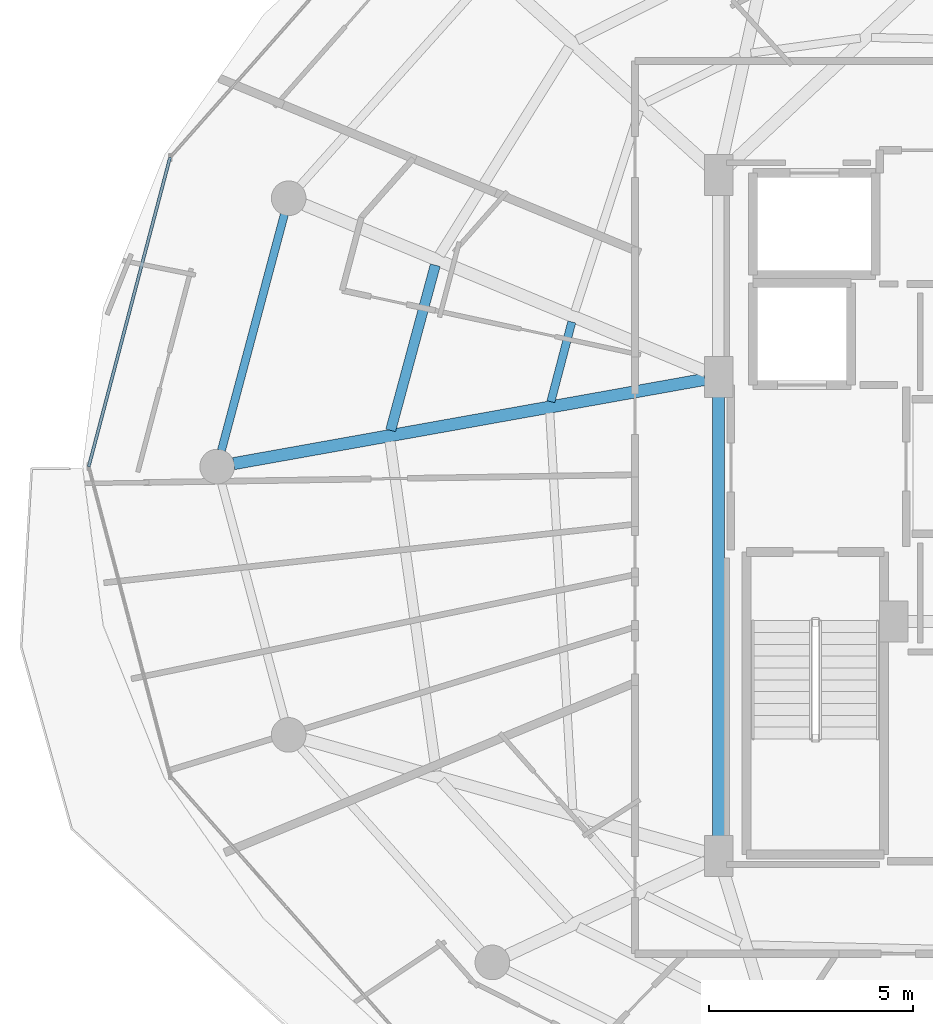
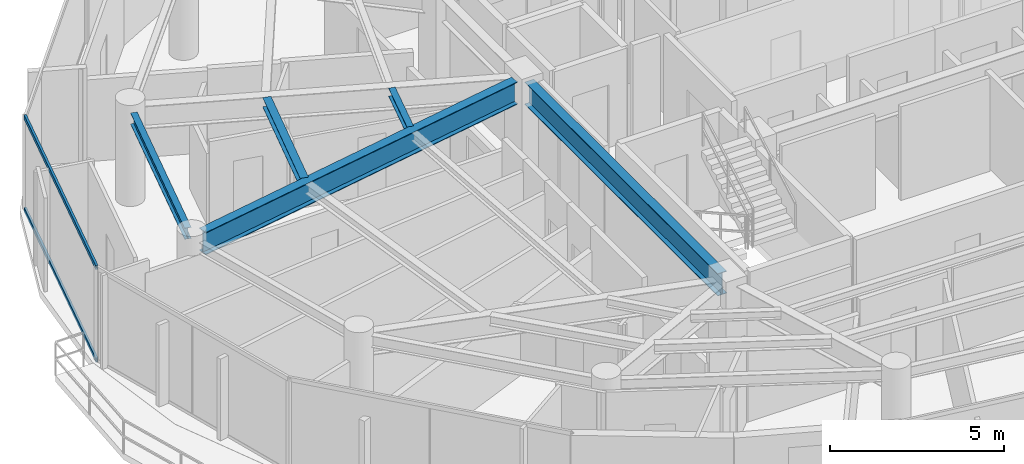
# One storey, part 8 of 31: 5 beams, 2 members, 1 element without a shape of its own.
"""IFC4 building model written with IfcOpenShell, lengths in metres."""

from ifc_helpers import new_model, si_unit, direction, frame, origin, origin_2d, place, context, subcontext, project, spatial, hollow_rectangle, i_section, extrude, material, material_profile, profile_set, type_object, element, aggregate, save


model = new_model("IFC4")

# Units and contexts
model_context = context("Model", 3, precision=1e-05, world=origin(), true_north=direction((0.0, 1.0)))
body_context = subcontext(model_context, "Body", "Model", "MODEL_VIEW")
ifc_project = project(units=[si_unit("LENGTHUNIT", "METRE"), si_unit("AREAUNIT", "SQUARE_METRE"), si_unit("VOLUMEUNIT", "CUBIC_METRE"), si_unit("PLANEANGLEUNIT", "RADIAN"), si_unit("MASSUNIT", "GRAM", prefix="KILO")], contexts=[model_context])

# Site, building, storey
site_placement = place(None, origin())
site = spatial("IfcSite", under=ifc_project, at=site_placement, CompositionType="ELEMENT")
building_placement = place(site_placement, origin())
building = spatial("IfcBuilding", under=site, at=building_placement, Name="Vorneva Point Tower", CompositionType="ELEMENT")
storey_placement = place(building_placement, frame((0.0, 0.0, 266.199951171875)))
storey = spatial("IfcBuildingStorey", under=building, at=storey_placement, Name="L72", CompositionType="ELEMENT", Elevation=266.199951171875)

# Beams
ifc_material_1 = material(Name="Steel S355", Category="steel")
ifc_material_profile_1 = material_profile(ifc_material_1, i_section(OverallWidth=0.300048828125, OverallDepth=0.7880859375, WebThickness=0.014404296875, FlangeThickness=0.02197265625, at=origin_2d()), Name="80Sh1")
ifc_profile_set_1 = profile_set([ifc_material_profile_1], Name="Steel S355")
beam_type_1 = type_object("IfcBeamType", Name="BM-GRD-80Sh1", PredefinedType="USERDEFINED", material=ifc_profile_set_1)
beam_1_placement = place(storey_placement, frame((15.3564453125, 26.07275390625, 2.89599609375), z_axis=(0.9843788355, 0.17606336422, 0.0), x_axis=(-0.17606336422, 0.9843788355, 0.0)))
element("IfcBeam", 1, at=beam_1_placement, inside=storey, type_object=beam_type_1, Name="L72 Radial Primary Girder 09", ObjectType="GIRDER", PredefinedType="USERDEFINED", context=body_context, shape_type="SweptSolid", body=[
    extrude(i_section(OverallWidth=0.300048828125, OverallDepth=0.7880859375, WebThickness=0.014404296875, FlangeThickness=0.02197265625, at=origin_2d()), origin(), (0.0, 0.0, 1.0), 11.7421875),
])
beam_2_placement = place(storey_placement, frame((27.25, 16.77001953125, 2.89599609375), z_axis=(0.0, 1.0, 0.0), x_axis=(-1.0, 0.0, 0.0)))
element("IfcBeam", 2, at=beam_2_placement, inside=storey, type_object=beam_type_1, Name="L72 Core Tie Girder CT1", ObjectType="GIRDER", PredefinedType="USERDEFINED", context=body_context, shape_type="SweptSolid", body=[
    extrude(i_section(OverallWidth=0.300048828125, OverallDepth=0.7880859375, WebThickness=0.014404296875, FlangeThickness=0.02197265625, at=origin_2d()), origin(), (0.0, 0.0, 1.0), 11.10986328125),
])
ifc_material_profile_2 = material_profile(ifc_material_1, i_section(OverallWidth=0.199951171875, OverallDepth=0.291015625, WebThickness=0.008056640625, FlangeThickness=0.010986328125, at=origin_2d()), Name="30Sh1")
ifc_profile_set_2 = profile_set([ifc_material_profile_2], Name="Steel S355")
beam_type_2 = type_object("IfcBeamType", Name="BM-SEC-30Sh1", PredefinedType="BEAM", material=ifc_profile_set_2)
beam_3_placement = place(storey_placement, frame((23.650390625, 29.5478515625, 3.14453125), z_axis=(-0.254273504395, -0.967132351316, 0.0), x_axis=(0.967132351316, -0.254273504395, 0.0)))
element("IfcBeam", 3, at=beam_3_placement, inside=storey, type_object=beam_type_2, Name="L72 Secondary Floor Beam 2.08", PredefinedType="BEAM", context=body_context, shape_type="SweptSolid", body=[
    extrude(i_section(OverallWidth=0.199951171875, OverallDepth=0.291015625, WebThickness=0.008056640625, FlangeThickness=0.010986328125, at=origin_2d()), origin(), (0.0, 0.0, 1.0), 2.02294921875),
])
ifc_material_profile_3 = material_profile(ifc_material_1, i_section(OverallWidth=0.2490234375, OverallDepth=0.333984375, WebThickness=0.008056640625, FlangeThickness=0.010986328125, at=origin_2d()), Name="35Sh1")
ifc_profile_set_3 = profile_set([ifc_material_profile_3], Name="Steel S355")
beam_type_3 = type_object("IfcBeamType", Name="BM-SEC-35Sh1", PredefinedType="BEAM", material=ifc_profile_set_3)
beam_4_placement = place(storey_placement, frame((20.300537109375, 30.939697265625, 3.123046875), z_axis=(-0.260630606793, -0.965438598153, 0.0), x_axis=(0.965438598153, -0.260630606793, 0.0)))
element("IfcBeam", 4, at=beam_4_placement, inside=storey, type_object=beam_type_3, Name="L72 Secondary Floor Beam 1.08", PredefinedType="BEAM", context=body_context, shape_type="SweptSolid", body=[
    extrude(i_section(OverallWidth=0.2490234375, OverallDepth=0.333984375, WebThickness=0.008056640625, FlangeThickness=0.010986328125, at=origin_2d()), origin(), (0.0, 0.0, 1.0), 4.196533203125),
])
ifc_material_profile_4 = material_profile(ifc_material_1, i_section(OverallWidth=0.198974609375, OverallDepth=0.39599609375, WebThickness=0.007080078125, FlangeThickness=0.010986328125, at=origin_2d()), Name="40B1")
ifc_profile_set_4 = profile_set([ifc_material_profile_4], Name="Steel S355")
beam_type_4 = type_object("IfcBeamType", Name="BM-SPN-40B1", PredefinedType="SPANDREL", material=ifc_profile_set_4)
beam_5_placement = place(storey_placement, frame((16.59912109375, 32.18603515625, 3.092041015625), z_axis=(-0.257586570866, -0.966255224312, 0.0), x_axis=(0.966255224312, -0.257586570866, 0.0)))
element("IfcBeam", 5, at=beam_5_placement, inside=storey, type_object=beam_type_4, Name="L72 Perimeter Spandrel Ring Beam 08", PredefinedType="SPANDREL", context=body_context, shape_type="SweptSolid", body=[
    extrude(i_section(OverallWidth=0.198974609375, OverallDepth=0.39599609375, WebThickness=0.007080078125, FlangeThickness=0.010986328125, at=origin_2d()), origin(), (0.0, 0.0, 1.0), 5.991943359375),
])

# Curtain wall, members
ifc_material_2 = material(Name="Pale anodised aluminium", Category="aluminium")
curtain_wall_type = type_object("IfcCurtainWallType", Name="CW-RES-SYS", PredefinedType="NOTDEFINED", material=ifc_material_2)
curtain_wall_placement = place(storey_placement, origin())
curtain_wall = element("IfcCurtainWall", 6, at=curtain_wall_placement, inside=storey, type_object=curtain_wall_type, Name="L72 Unitised Curtain Wall CW-L72-R03", PredefinedType="NOTDEFINED")
ifc_material_profile_5 = material_profile(ifc_material_2, hollow_rectangle(XDim=0.074951171875, YDim=0.14990234375, WallThickness=0.00390625, at=origin_2d()), Name="AL-TRN 150x75x4")
ifc_profile_set_5 = profile_set([ifc_material_profile_5], Name="Pale anodised aluminium")
member_type = type_object("IfcMemberType", Name="CW-TRN-150", PredefinedType="USERDEFINED", material=ifc_profile_set_5)
member_1_placement = place(storey_placement, frame((13.79443359375, 33.5810546875, 0.02001953125), z_axis=(-0.254418180926, -0.967094302131, 0.0), x_axis=(0.967094302131, -0.254418180926, 0.0)))
member_1 = element("IfcMember", 7, at=member_1_placement, type_object=member_type, Name="CW-L72-R03 Transom 02.1", ObjectType="TRANSOM", PredefinedType="USERDEFINED", context=body_context, shape_type="SweptSolid", body=[
    extrude(hollow_rectangle(XDim=0.074951171875, YDim=0.14990234375, WallThickness=0.00390625, at=origin_2d()), origin(), (0.0, 0.0, 1.0), 7.839111328125),
])
member_2_placement = place(storey_placement, frame((13.79443359375, 33.5810546875, 3.27001953125), z_axis=(-0.254418180926, -0.967094302131, 0.0), x_axis=(0.967094302131, -0.254418180926, 0.0)))
member_2 = element("IfcMember", 8, at=member_2_placement, type_object=member_type, Name="CW-L72-R03 Transom 02.2", ObjectType="TRANSOM", PredefinedType="USERDEFINED", context=body_context, shape_type="SweptSolid", body=[
    extrude(hollow_rectangle(XDim=0.074951171875, YDim=0.14990234375, WallThickness=0.00390625, at=origin_2d()), origin(), (0.0, 0.0, 1.0), 7.839111328125),
])
aggregate(curtain_wall, [member_1, member_2])

save(model, "model.ifc")
